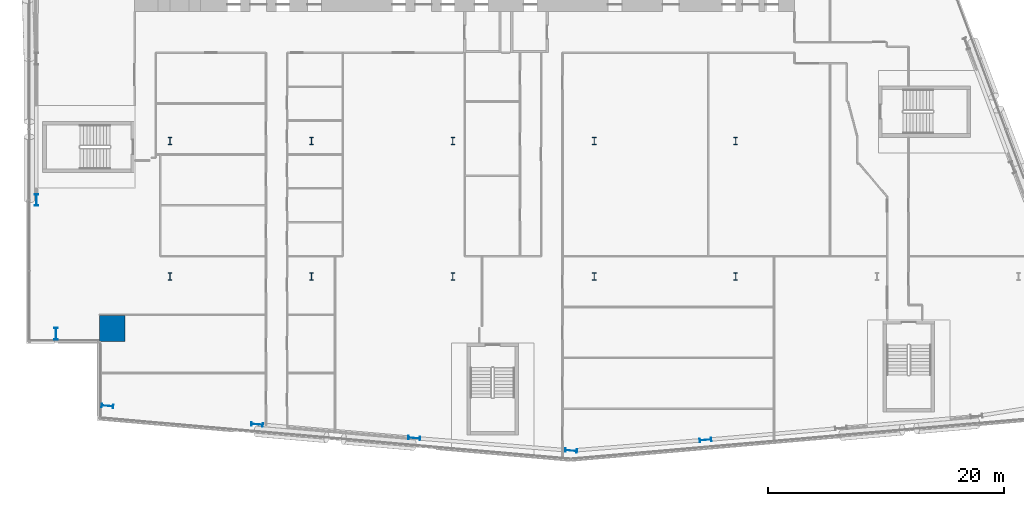
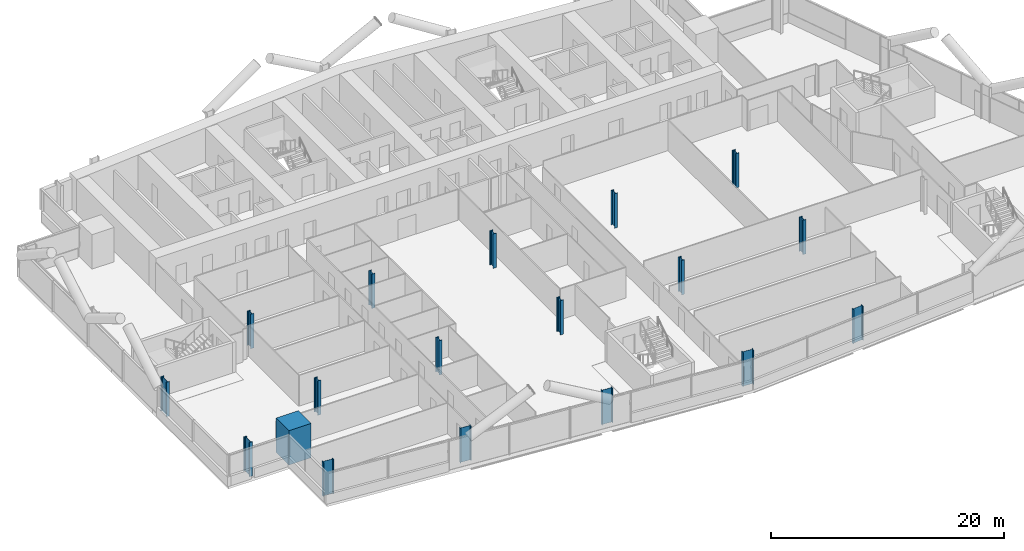
# One storey, part 1 of 27: 18 columns.
"""IFC4 building model written with IfcOpenShell, lengths in metres."""

import ifcopenshell
import ifcopenshell.guid

model = None  # the IFC model being written
_history = None  # IfcOwnerHistory: only IFC2X3 demands one
_inside = {}  # id of a spatial element -> (the spatial element, [elements in it])
_under = {}  # id of a project, library or spatial element -> (it, [spatial elements below it])
_declared = {}  # id of a project -> (the project, [libraries it declares])
_typed = {}  # id of a type object -> (the type object, [elements of that type])
_made_of = {}  # id of a material, layer set ... -> (it, [elements and type objects made of it])


def new_model(schema):
    """Start an empty IFC model of exactly this schema.

    Asked for "IFC4X3", IfcOpenShell would pick the latest addendum, in which some entities
    have other attributes; the version numbers below select the first issue.
    IFC2X3 requires an IfcOwnerHistory on every rooted entity: one is made here for all.
    """
    global model, _history
    if schema == "IFC4X3":
        model = ifcopenshell.file(schema_version=(4, 3, 0, 0))
    else:
        model = ifcopenshell.file(schema=schema)
    _inside.clear()
    _under.clear()
    _declared.clear()
    _typed.clear()
    _made_of.clear()
    _history = None
    if model.schema == "IFC2X3":
        org = make("IfcOrganization", Name="unknown")
        user = make(
            "IfcPersonAndOrganization",
            ThePerson=make("IfcPerson", FamilyName="unknown"),
            TheOrganization=org,
        )
        app = make(
            "IfcApplication",
            ApplicationDeveloper=org,
            Version="unknown",
            ApplicationFullName="unknown",
            ApplicationIdentifier="unknown",
        )
        _history = make(
            "IfcOwnerHistory",
            OwningUser=user,
            OwningApplication=app,
            ChangeAction="ADDED",
            CreationDate=0,
        )
    return model


def make(cls, **values):
    """One entity of the class cls with the attributes given. An attribute that is None is left unset."""
    return model.create_entity(
        cls, **{name: value for name, value in values.items() if value is not None}
    )


def rooted(cls, **values):
    """An entity with a GlobalId (a new one), such as an element, a storey or a relation."""
    return make(cls, GlobalId=ifcopenshell.guid.new(), OwnerHistory=_history, **values)


def si_unit(unit_type, name, prefix=None):
    """IfcSIUnit, for example si_unit("LENGTHUNIT", "METRE", prefix="MILLI")."""
    return make("IfcSIUnit", UnitType=unit_type, Prefix=prefix, Name=name)


def assignment(units):
    """IfcUnitAssignment: the units of a project."""
    return None if units is None else make("IfcUnitAssignment", Units=units)


def point(xyz):
    """IfcCartesianPoint."""
    return None if xyz is None else make("IfcCartesianPoint", Coordinates=xyz)


def direction(xyz):
    """IfcDirection."""
    return None if xyz is None else make("IfcDirection", DirectionRatios=xyz)


def frame(location, z_axis=None, x_axis=None):
    """IfcAxis2Placement3D, a coordinate frame: its origin and axes. An axis left out is left unset."""
    return make(
        "IfcAxis2Placement3D",
        Location=point(location),
        Axis=direction(z_axis),
        RefDirection=direction(x_axis),
    )


def frame_2d(location, x_axis=None):
    """IfcAxis2Placement2D, a coordinate frame in the plane: its origin and x axis."""
    return make(
        "IfcAxis2Placement2D", Location=point(location), RefDirection=direction(x_axis)
    )


def origin():
    """The frame at (0, 0, 0) with its axes left unset."""
    return frame((0.0, 0.0, 0.0))


def origin_2d():
    """The frame at (0, 0) in the plane with its x axis left unset."""
    return frame_2d((0.0, 0.0))


def place(relative_to, where):
    """IfcLocalPlacement: puts the frame where relative to a parent placement (None: the world)."""
    return make(
        "IfcLocalPlacement", PlacementRelTo=relative_to, RelativePlacement=where
    )


def context(
    kind, dimensions, precision=None, world=None, true_north=None, identifier=None
):
    """IfcGeometricRepresentationContext, for example the 3D "Model" context."""
    return make(
        "IfcGeometricRepresentationContext",
        ContextIdentifier=identifier,
        ContextType=kind,
        CoordinateSpaceDimension=dimensions,
        Precision=precision,
        WorldCoordinateSystem=world,
        TrueNorth=true_north,
    )


def subcontext(parent, identifier, kind, view, scale=None):
    """IfcGeometricRepresentationSubContext, for example "Body" below "Model"."""
    return make(
        "IfcGeometricRepresentationSubContext",
        ContextIdentifier=identifier,
        ContextType=kind,
        ParentContext=parent,
        TargetScale=scale,
        TargetView=view,
    )


def project(units=None, contexts=None):
    """IfcProject with its units and contexts."""
    return rooted(
        "IfcProject",
        Name="project",
        RepresentationContexts=contexts,
        UnitsInContext=assignment(units),
    )


def spatial(cls, under=None, at=None, **own):
    """A site, building, storey or space (cls), placed at a placement, below another one or the project."""
    s = rooted(cls, ObjectPlacement=at, **own)
    if under is not None:
        _under.setdefault(under.id(), (under, []))[1].append(s)
    return s


def profile(cls, at=None, kind="AREA", **sizes):
    """A parametric profile (cls). Its sizes go by their IFC names, for example OverallWidth=200.0."""
    return make(cls, ProfileType=kind, Position=at, **sizes)


def rectangle(**sizes):
    """IfcRectangleProfileDef."""
    return profile("IfcRectangleProfileDef", **sizes)


def i_section(**sizes):
    """IfcIShapeProfileDef."""
    return profile("IfcIShapeProfileDef", **sizes)


def extrude(swept, where, along, depth):
    """IfcExtrudedAreaSolid: the profile swept, set in the frame where, extruded along a direction by depth."""
    return make(
        "IfcExtrudedAreaSolid",
        SweptArea=swept,
        Position=where,
        ExtrudedDirection=direction(along),
        Depth=depth,
    )


def shape(context_of_items, identifier, shape_type, items):
    """IfcShapeRepresentation: the items that make up one representation, for example the "Body"."""
    return make(
        "IfcShapeRepresentation",
        ContextOfItems=context_of_items,
        RepresentationIdentifier=identifier,
        RepresentationType=shape_type,
        Items=items,
    )


def material(Name=None, Category=None):
    """IfcMaterial."""
    return make("IfcMaterial", Name=Name, Category=Category)


def material_profile(
    of_material, cross_section, Name=None, Category=None, Priority=None
):
    """IfcMaterialProfile: a cross section and its material."""
    return make(
        "IfcMaterialProfile",
        Name=Name,
        Material=of_material,
        Profile=cross_section,
        Priority=Priority,
        Category=Category,
    )


def profile_set(profiles, Name=None, composite=None):
    """IfcMaterialProfileSet."""
    return make(
        "IfcMaterialProfileSet",
        Name=Name,
        MaterialProfiles=profiles,
        CompositeProfile=composite,
    )


def made_of(thing, what):
    """Note that an element or type object is made of a material, layer set ...; save() writes the relation."""
    if what is not None:
        _made_of.setdefault(what.id(), (what, []))[1].append(thing)
    return thing


def type_object(cls, material=None, **own):
    """A type object (cls), such as IfcWallType, which elements share."""
    return made_of(rooted(cls, **own), material)


def element(
    cls,
    number,
    at=None,
    inside=None,
    cuts=None,
    type_object=None,
    material=None,
    context=None,
    identifier="Body",
    shape_type=None,
    held_by="IfcProductDefinitionShape",
    body=None,
    shapes=None,
    **own,
):
    """One element of the class cls, such as IfcWall. Its Tag is "e" and its number.

    at: its placement. inside: the storey or other place that contains it. cuts: it is an
    opening in that element (IfcRelVoidsElement). A single representation is given by context,
    identifier, shape_type and body (its items); several are given by shapes. held_by: the class
    of the entity that holds the representations. save() writes the other relations.
    """
    e = rooted(cls, Tag="e%d" % number, ObjectPlacement=at, **own)
    if body is not None:
        shapes = [shape(context, identifier, shape_type, body)]
    if shapes is not None:
        e.Representation = make(held_by, Representations=shapes)
    if inside is not None:
        _inside.setdefault(inside.id(), (inside, []))[1].append(e)
    if cuts is not None:
        rooted(
            "IfcRelVoidsElement", RelatingBuildingElement=cuts, RelatedOpeningElement=e
        )
    if type_object is not None:
        _typed.setdefault(type_object.id(), (type_object, []))[1].append(e)
    return made_of(e, material)


def aggregate(whole, parts):
    """IfcRelAggregates: a whole, such as a stair, and the parts it consists of."""
    return rooted("IfcRelAggregates", RelatingObject=whole, RelatedObjects=parts)


def save(model, path):
    """Write the relations noted so far, then the file.

    IfcRelAggregates (storeys below a building ...), IfcRelContainedInSpatialStructure (elements
    in a storey), IfcRelDefinesByType, IfcRelAssociatesMaterial and IfcRelDeclares: one each for
    every whole, place, type object, material and project.
    """
    for whole, parts in _under.values():
        aggregate(whole, parts)
    for where, things in _inside.values():
        rooted(
            "IfcRelContainedInSpatialStructure",
            RelatedElements=things,
            RelatingStructure=where,
        )
    for kind, things in _typed.values():
        rooted("IfcRelDefinesByType", RelatedObjects=things, RelatingType=kind)
    for what, things in _made_of.values():
        rooted("IfcRelAssociatesMaterial", RelatedObjects=things, RelatingMaterial=what)
    for by, libraries in _declared.values():
        rooted("IfcRelDeclares", RelatingContext=by, RelatedDefinitions=libraries)
    model.write(path)


model = new_model("IFC4")

# Units and contexts
model_context = context("Model", 3, precision=1e-05, world=origin(), true_north=direction((0.0, 1.0)))
body_context = subcontext(model_context, "Body", "Model", "MODEL_VIEW")
ifc_project = project(units=[si_unit("LENGTHUNIT", "METRE"), si_unit("AREAUNIT", "SQUARE_METRE"), si_unit("VOLUMEUNIT", "CUBIC_METRE"), si_unit("PLANEANGLEUNIT", "RADIAN"), si_unit("MASSUNIT", "GRAM", prefix="KILO")], contexts=[model_context])

# Site, building, storey
site_placement = place(None, origin())
site = spatial("IfcSite", under=ifc_project, at=site_placement, CompositionType="ELEMENT")
building_placement = place(site_placement, origin())
building = spatial("IfcBuilding", under=site, at=building_placement, Name="Wharfspan Tower", CompositionType="ELEMENT")
storey_placement = place(building_placement, frame((0.0, 0.0, 73.899902)))
storey = spatial("IfcBuildingStorey", under=building, at=storey_placement, Name="L15", CompositionType="ELEMENT", Elevation=73.899902)

# Columns
ifc_material_1 = material(Name="Steel S355J2", Category="steel")
ifc_material_profile_1 = material_profile(ifc_material_1, i_section(OverallWidth=0.302002, OverallDepth=1.008057, WebThickness=0.020996, FlangeThickness=0.040039, FilletRadius=0.030029, at=origin_2d()))
ifc_profile_set_1 = profile_set([ifc_material_profile_1], Name="Steel S355J2")
column_type_1 = type_object("IfcColumnType", Name="Column HEM 1000", PredefinedType="COLUMN", material=ifc_profile_set_1)
for number, where, z_axis, x_axis, name in (
    (1, (6.694336, 0.528564, 0.0), (0.0, 0.0, 1.0), (-0.087156, -0.996198, 0.0), "Perimeter column PS1.1 L15"),
    (2, (19.390869, -1.033936, 0.0), (0.0, 0.0, 1.0), (-0.087156, -0.996198, 0.0), "Perimeter column PS1.2 L15"),
    (3, (32.724121, -2.200439, 0.0), (0.0, 0.0, 1.0), (-0.087156, -0.996198, 0.0), "Perimeter column PS1.3 L15"),
    (4, (46.04248, -3.268066, 0.0), (0.0, 0.0, 1.0), (-0.087156, -0.996198, 0.0), "Perimeter column PS1.4 L15"),
    (5, (57.442383, -2.36084, 0.0), (0.0, 0.0, 1.0), (0.087156, -0.996198, 0.0), "Perimeter column PS2.1 L15"),
    (6, (0.659912, 18.0, 0.0), (0.0, 0.0, 1.0), (-1.0, 0.0, 0.0), "Perimeter column PW.2 L15"),
    (7, (2.331787, 6.66748, 0.0), (0.0, 0.0, 1.0), (-1.0, 0.0, 0.0), "Perimeter column PW.3 L15"),
):
    element("IfcColumn", number, at=place(storey_placement, frame(where, z_axis=z_axis, x_axis=x_axis)), inside=storey, type_object=column_type_1, Name=name, PredefinedType="COLUMN", context=body_context, shape_type="SweptSolid", body=[
        extrude(i_section(OverallWidth=0.302002, OverallDepth=1.008057, WebThickness=0.020996, FlangeThickness=0.040039, FilletRadius=0.030029, at=origin_2d()), origin(), (0.0, 0.0, 1.0), 3.600098),
    ])
ifc_material_profile_2 = material_profile(ifc_material_1, i_section(OverallWidth=0.304932, OverallDepth=0.620117, WebThickness=0.020996, FlangeThickness=0.040039, FilletRadius=0.0271, at=origin_2d()))
ifc_profile_set_2 = profile_set([ifc_material_profile_2], Name="Steel S355J2")
column_type_2 = type_object("IfcColumnType", Name="Column HEM 600", PredefinedType="COLUMN", material=ifc_profile_set_2)
for number, where, z_axis, x_axis, name in (
    (8, (12.0, 11.5, 0.0), (0.0, 0.0, 1.0), (1.0, 0.0, 0.0), "Interior column I.1.1 L15"),
    (9, (24.0, 11.5, 0.0), (0.0, 0.0, 1.0), (1.0, 0.0, 0.0), "Interior column I.1.2 L15"),
    (10, (36.0, 11.5, 0.0), (0.0, 0.0, 1.0), (1.0, 0.0, 0.0), "Interior column I.1.3 L15"),
    (11, (48.0, 11.5, 0.0), (0.0, 0.0, 1.0), (1.0, 0.0, 0.0), "Interior column I.1.4 L15"),
    (12, (60.0, 11.5, 0.0), (0.0, 0.0, 1.0), (1.0, 0.0, 0.0), "Interior column I.1.5 L15"),
    (13, (12.0, 23.0, 0.0), (0.0, 0.0, 1.0), (1.0, 0.0, 0.0), "Interior column I.2.1 L15"),
    (14, (24.0, 23.0, 0.0), (0.0, 0.0, 1.0), (1.0, 0.0, 0.0), "Interior column I.2.2 L15"),
    (15, (36.0, 23.0, 0.0), (0.0, 0.0, 1.0), (1.0, 0.0, 0.0), "Interior column I.2.3 L15"),
    (16, (48.0, 23.0, 0.0), (0.0, 0.0, 1.0), (1.0, 0.0, 0.0), "Interior column I.2.4 L15"),
    (17, (60.0, 23.0, 0.0), (0.0, 0.0, 1.0), (1.0, 0.0, 0.0), "Interior column I.2.5 L15"),
):
    element("IfcColumn", number, at=place(storey_placement, frame(where, z_axis=z_axis, x_axis=x_axis)), inside=storey, type_object=column_type_2, Name=name, PredefinedType="COLUMN", context=body_context, shape_type="SweptSolid", body=[
        extrude(i_section(OverallWidth=0.304932, OverallDepth=0.620117, WebThickness=0.020996, FlangeThickness=0.040039, FilletRadius=0.0271, at=origin_2d()), origin(), (0.0, 0.0, 1.0), 3.600098),
    ])
ifc_material_2 = material(Name="Concrete C70/85", Category="concrete")
ifc_material_profile_3 = material_profile(ifc_material_2, rectangle(XDim=2.199951, YDim=2.199951, at=origin_2d()))
ifc_profile_set_3 = profile_set([ifc_material_profile_3], Name="Concrete C70/85")
column_type_3 = type_object("IfcColumnType", Name="Mega column 2200 C70/85", PredefinedType="COLUMN", material=ifc_profile_set_3)
column_placement = place(storey_placement, frame((7.100098, 7.100098, 0.0), z_axis=(0.0, 0.0, 1.0), x_axis=(1.0, 0.0, 0.0)))
element("IfcColumn", 18, at=column_placement, inside=storey, type_object=column_type_3, Name="Mega column MC1 L15", PredefinedType="COLUMN", context=body_context, shape_type="SweptSolid", body=[
    extrude(rectangle(XDim=2.199951, YDim=2.199951, at=origin_2d()), origin(), (0.0, 0.0, 1.0), 3.600098),
])

save(model, "model.ifc")
